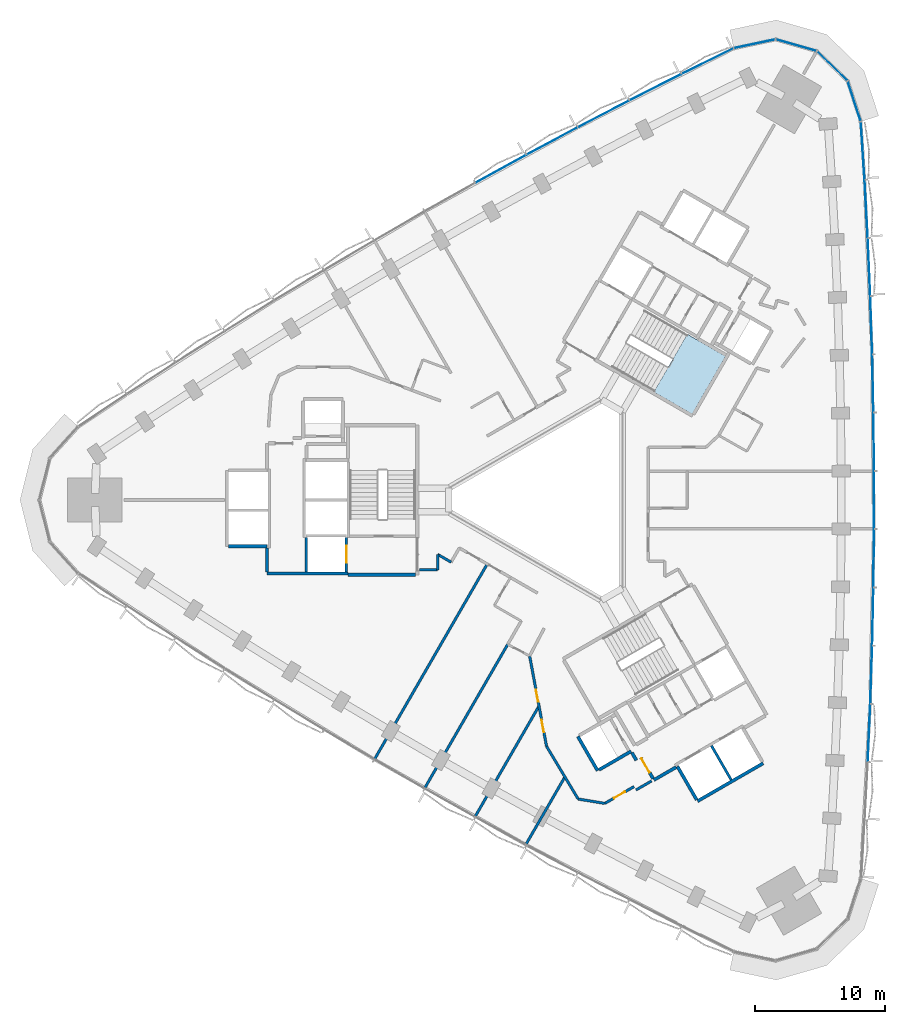
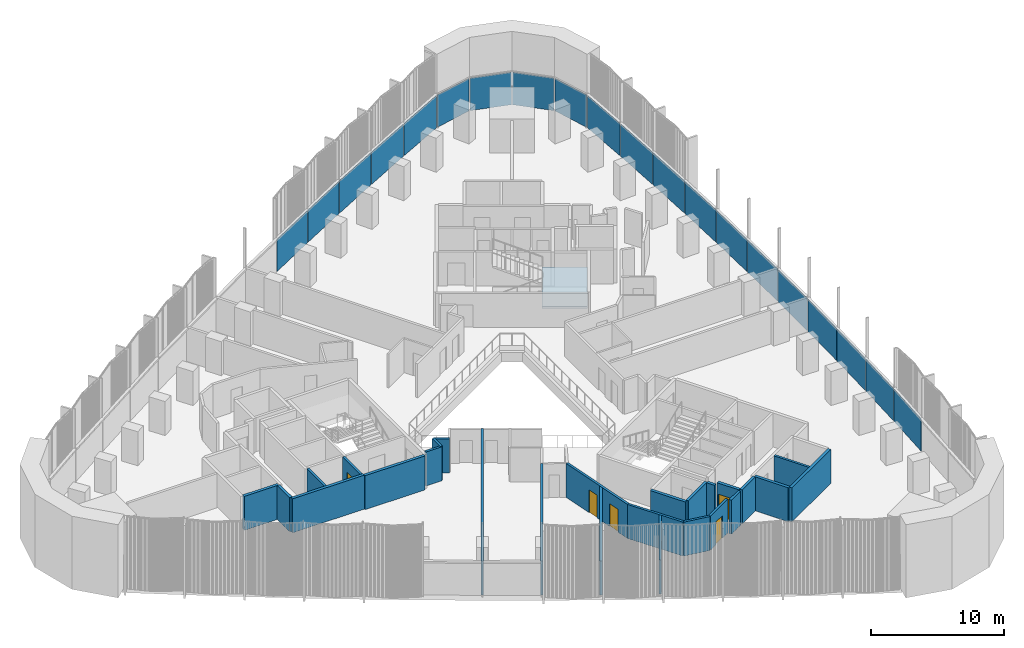
# One storey, part 9 of 16: 26 walls, 20 plates, 5 doors, 1 slab, 5 openings, 3 elements without a shape of their own.
"""IFC4 building model written with IfcOpenShell, lengths in metres."""

from ifc_helpers import new_model, si_unit, direction, frame, frame_2d, origin, origin_2d, place, context, subcontext, project, spatial, polyline, rectangle, outline, extrude, material, layer, layer_set, type_object, element, fill, aggregate, save


model = new_model("IFC4")

# Units and contexts
model_context = context("Model", 3, precision=1e-05, world=origin(), true_north=direction((0.0, 1.0)))
body_context = subcontext(model_context, "Body", "Model", "MODEL_VIEW")
ifc_project = project(units=[si_unit("LENGTHUNIT", "METRE"), si_unit("AREAUNIT", "SQUARE_METRE"), si_unit("VOLUMEUNIT", "CUBIC_METRE"), si_unit("PLANEANGLEUNIT", "RADIAN"), si_unit("MASSUNIT", "GRAM", prefix="KILO")], contexts=[model_context])

# Site, building, storey
site_placement = place(None, origin())
site = spatial("IfcSite", under=ifc_project, at=site_placement, CompositionType="ELEMENT")
building_placement = place(site_placement, origin())
building = spatial("IfcBuilding", under=site, at=building_placement, Name="Tamra Quay Hotel Tower", CompositionType="ELEMENT")
storey_placement = place(building_placement, frame((0.0, 0.0, 45.800048828125)))
storey = spatial("IfcBuildingStorey", under=building, at=storey_placement, Name="L09", CompositionType="ELEMENT", Elevation=45.800048828125)

# Stair, slab
ifc_material_1 = material(Name="Exit stair 2200 24 risers 150.0 going 342")
stair_type = type_object("IfcStairType", Name="Exit stair 2200 24 risers 150.0 going 342", PredefinedType="HALF_TURN_STAIR", material=ifc_material_1)
stair_placement = place(storey_placement, origin())
stair = element("IfcStair", 1, at=stair_placement, inside=storey, type_object=stair_type, Name="L09 Exit stair ST1", PredefinedType="HALF_TURN_STAIR")
ifc_material_2 = material(Name="Concrete M70", Category="concrete")
ifc_layer_1 = layer(ifc_material_2, 0.175048828125)
ifc_layer_set_1 = layer_set([ifc_layer_1], Name="Concrete M70 stair landing 180")
slab_type = type_object("IfcSlabType", Name="Concrete M70 stair landing 180", PredefinedType="LANDING", material=ifc_layer_set_1)
slab_placement = place(storey_placement, frame((0.0, 0.0, 1.625)))
slab = element("IfcSlab", 2, at=slab_placement, type_object=slab_type, Name="ST1 landing 1", PredefinedType="LANDING", context=body_context, shape_type="SweptSolid", body=[
    extrude(outline(polyline([(7.425048828125, 8.336669921875), (10.385009765625, 6.627685546875), (12.964599609375, 11.095458984375), (10.00439453125, 12.804443359375), (7.425048828125, 8.336669921875)])), origin(), (0.0, 0.0, 1.0), 0.175048828125),
])
aggregate(stair, [slab])

# Curtain wall, plates
ifc_material_3 = material(Name="Aluminium 6063 anodised dark grey", Category="aluminium")
curtain_wall_type_1 = type_object("IfcCurtainWallType", Name="CW1 CURTAIN WALL", PredefinedType="NOTDEFINED", material=ifc_material_3)
curtain_wall_1_placement = place(storey_placement, origin())
curtain_wall_1 = element("IfcCurtainWall", 3, at=curtain_wall_1_placement, inside=storey, type_object=curtain_wall_type_1, Name="CW1 east face L09", PredefinedType="NOTDEFINED")
ifc_material_4 = material(Name="Glass clear laminated low-iron", Category="glass")
ifc_layer_2 = layer(ifc_material_4, 0.035888671875)
ifc_layer_set_2 = layer_set([ifc_layer_2], Name="GLASS PANEL CW1 Z1")
plate_type_1 = type_object("IfcPlateType", Name="GLASS PANEL CW1 Z1", PredefinedType="CURTAIN_PANEL", material=ifc_layer_set_2)
plate_1_placement = place(storey_placement, frame((24.04052734375, -17.985107421875, 0.0), z_axis=(0.0, 0.0, 1.0), x_axis=(0.043285462035, 0.999062745165, 0.0)))
plate_1 = element("IfcPlate", 4, at=plate_1_placement, type_object=plate_type_1, Name="CW1 glass L09.E.3", PredefinedType="CURTAIN_PANEL", context=body_context, shape_type="SweptSolid", body=[
    extrude(rectangle(XDim=4.397216796875, YDim=0.035888671875, at=origin_2d()), origin(), (0.0, 0.0, 1.0), 2.985107421875),
])
plate_2_placement = place(storey_placement, frame((24.2109375, -13.490966796875, 0.0), z_axis=(0.0, 0.0, 1.0), x_axis=(0.032474799035, 0.999472554615, 0.0)))
plate_2 = element("IfcPlate", 5, at=plate_2_placement, type_object=plate_type_1, Name="CW1 glass L09.E.4", PredefinedType="CURTAIN_PANEL", context=body_context, shape_type="SweptSolid", body=[
    extrude(rectangle(XDim=4.397216796875, YDim=0.035888671875, at=origin_2d()), origin(), (0.0, 0.0, 1.0), 2.985107421875),
])
plate_3_placement = place(storey_placement, frame((24.332763671875, -8.99462890625, 0.0), z_axis=(0.0, 0.0, 1.0), x_axis=(0.021657440572, 0.999765450127, 0.0)))
plate_3 = element("IfcPlate", 6, at=plate_3_placement, type_object=plate_type_1, Name="CW1 glass L09.E.5", PredefinedType="CURTAIN_PANEL", context=body_context, shape_type="SweptSolid", body=[
    extrude(rectangle(XDim=4.39892578125, YDim=0.035888671875, at=origin_2d()), origin(), (0.0, 0.0, 1.0), 2.985107421875),
])
plate_4_placement = place(storey_placement, frame((24.40576171875, -4.4970703125, 0.0), z_axis=(0.0, 0.0, 1.0), x_axis=(0.010835825783, 0.999941290716, 0.0)))
plate_4 = element("IfcPlate", 7, at=plate_4_placement, type_object=plate_type_1, Name="CW1 glass L09.E.6", PredefinedType="CURTAIN_PANEL", context=body_context, shape_type="SweptSolid", body=[
    extrude(rectangle(XDim=4.397216796875, YDim=0.035888671875, at=origin_2d()), origin(), (0.0, 0.0, 1.0), 2.985107421875),
])
plate_5_placement = place(storey_placement, frame((24.43017578125, 0.0, 0.0), z_axis=(0.0, 0.0, 1.0), x_axis=(0.0, 1.0, 0.0)))
plate_5 = element("IfcPlate", 8, at=plate_5_placement, type_object=plate_type_1, Name="CW1 glass L09.E.7", PredefinedType="CURTAIN_PANEL", context=body_context, shape_type="SweptSolid", body=[
    extrude(rectangle(XDim=4.397216796875, YDim=0.035888671875, at=origin_2d()), origin(), (0.0, 0.0, 1.0), 2.985107421875),
])
plate_6_placement = place(storey_placement, frame((24.40576171875, 4.4970703125, 0.0), z_axis=(0.0, 0.0, 1.0), x_axis=(-0.010835825783, 0.999941290716, 0.0)))
plate_6 = element("IfcPlate", 9, at=plate_6_placement, type_object=plate_type_1, Name="CW1 glass L09.E.8", PredefinedType="CURTAIN_PANEL", context=body_context, shape_type="SweptSolid", body=[
    extrude(rectangle(XDim=4.397216796875, YDim=0.035888671875, at=origin_2d()), origin(), (0.0, 0.0, 1.0), 2.985107421875),
])
plate_7_placement = place(storey_placement, frame((24.332763671875, 8.99462890625, 0.0), z_axis=(0.0, 0.0, 1.0), x_axis=(-0.021657440572, 0.999765450127, 0.0)))
plate_7 = element("IfcPlate", 10, at=plate_7_placement, type_object=plate_type_1, Name="CW1 glass L09.E.9", PredefinedType="CURTAIN_PANEL", context=body_context, shape_type="SweptSolid", body=[
    extrude(rectangle(XDim=4.39892578125, YDim=0.035888671875, at=origin_2d()), origin(), (0.0, 0.0, 1.0), 2.985107421875),
])
plate_8_placement = place(storey_placement, frame((24.2109375, 13.490966796875, 0.0), z_axis=(0.0, 0.0, 1.0), x_axis=(-0.032474799035, 0.999472554615, 0.0)))
plate_8 = element("IfcPlate", 11, at=plate_8_placement, type_object=plate_type_1, Name="CW1 glass L09.E.10", PredefinedType="CURTAIN_PANEL", context=body_context, shape_type="SweptSolid", body=[
    extrude(rectangle(XDim=4.397216796875, YDim=0.035888671875, at=origin_2d()), origin(), (0.0, 0.0, 1.0), 2.985107421875),
])
plate_9_placement = place(storey_placement, frame((24.04052734375, 17.985107421875, 0.0), z_axis=(0.0, 0.0, 1.0), x_axis=(-0.043285462035, 0.999062745165, 0.0)))
plate_9 = element("IfcPlate", 12, at=plate_9_placement, type_object=plate_type_1, Name="CW1 glass L09.E.11", PredefinedType="CURTAIN_PANEL", context=body_context, shape_type="SweptSolid", body=[
    extrude(rectangle(XDim=4.397216796875, YDim=0.035888671875, at=origin_2d()), origin(), (0.0, 0.0, 1.0), 2.985107421875),
])
plate_10_placement = place(storey_placement, frame((23.821533203125, 22.477783203125, 0.0), z_axis=(0.0, 0.0, 1.0), x_axis=(-0.054062119595, 0.998537574268, 0.0)))
plate_10 = element("IfcPlate", 13, at=plate_10_placement, type_object=plate_type_1, Name="CW1 glass L09.E.12", PredefinedType="CURTAIN_PANEL", context=body_context, shape_type="SweptSolid", body=[
    extrude(rectangle(XDim=4.39892578125, YDim=0.035888671875, at=origin_2d()), origin(), (0.0, 0.0, 1.0), 2.985107421875),
])
plate_11_placement = place(storey_placement, frame((23.55419921875, 26.96728515625, 0.0), z_axis=(0.0, 0.0, 1.0), x_axis=(-0.064813097616, 0.997897420769, 0.0)))
plate_11 = element("IfcPlate", 14, at=plate_11_placement, type_object=plate_type_1, Name="CW1 glass L09.E.13", PredefinedType="CURTAIN_PANEL", context=body_context, shape_type="SweptSolid", body=[
    extrude(rectangle(XDim=4.396484375, YDim=0.035888671875, at=origin_2d()), origin(), (0.0, 0.0, 1.0), 2.985107421875),
])
plate_12_placement = place(storey_placement, frame((22.8974609375, 30.783447265625, 0.0), z_axis=(0.0, 0.0, 1.0), x_axis=(-0.309040551826, 0.951048861693, 0.0)))
plate_12 = element("IfcPlate", 15, at=plate_12_placement, type_object=plate_type_1, Name="CW1 glass L09.E.14", PredefinedType="CURTAIN_PANEL", context=body_context, shape_type="SweptSolid", body=[
    extrude(rectangle(XDim=3.207275390625, YDim=0.035888671875, at=origin_2d()), origin(), (0.0, 0.0, 1.0), 2.985107421875),
])
plate_13_placement = place(storey_placement, frame((21.197021484375, 33.5048828125, 0.0), z_axis=(0.0, 0.0, 1.0), x_axis=(-0.719345535851, 0.694652431113, 0.0)))
plate_13 = element("IfcPlate", 16, at=plate_13_placement, type_object=plate_type_1, Name="CW1 glass L09.E.15", PredefinedType="CURTAIN_PANEL", context=body_context, shape_type="SweptSolid", body=[
    extrude(rectangle(XDim=3.207275390625, YDim=0.035888671875, at=origin_2d()), origin(), (0.0, 0.0, 1.0), 2.985107421875),
])
plate_14_placement = place(storey_placement, frame((18.417724609375, 35.109619140625, 0.0), z_axis=(0.0, 0.0, 1.0), x_axis=(-0.96125942007, 0.275645292589, 0.0)))
plate_14 = element("IfcPlate", 17, at=plate_14_placement, type_object=plate_type_1, Name="CW1 glass L09.E.16", PredefinedType="CURTAIN_PANEL", context=body_context, shape_type="SweptSolid", body=[
    extrude(rectangle(XDim=3.207275390625, YDim=0.035888671875, at=origin_2d()), origin(), (0.0, 0.0, 1.0), 2.985107421875),
])
plate_15_placement = place(storey_placement, frame((15.210693359375, 35.2216796875, 0.0), z_axis=(0.0, 0.0, 1.0), x_axis=(-0.978152750379, -0.207887462165, 0.0)))
plate_15 = element("IfcPlate", 18, at=plate_15_placement, type_object=plate_type_1, Name="CW1 glass L09.E.17", PredefinedType="CURTAIN_PANEL", context=body_context, shape_type="SweptSolid", body=[
    extrude(rectangle(XDim=3.207275390625, YDim=0.035888671875, at=origin_2d()), origin(), (0.0, 0.0, 1.0), 2.985107421875),
])
aggregate(curtain_wall_1, [plate_1, plate_2, plate_3, plate_4, plate_5, plate_6, plate_7, plate_8, plate_9, plate_10, plate_11, plate_12, plate_13, plate_14, plate_15])

curtain_wall_type_2 = type_object("IfcCurtainWallType", Name="CW2 CURTAIN WALL", PredefinedType="NOTDEFINED", material=ifc_material_3)
curtain_wall_2_placement = place(storey_placement, origin())
curtain_wall_2 = element("IfcCurtainWall", 19, at=curtain_wall_2_placement, inside=storey, type_object=curtain_wall_type_2, Name="CW2 north-west face L09", PredefinedType="NOTDEFINED")
ifc_layer_3 = layer(ifc_material_4, 0.035888671875)
ifc_layer_set_3 = layer_set([ifc_layer_3], Name="GLASS PANEL CW2 Z1")
plate_type_2 = type_object("IfcPlateType", Name="GLASS PANEL CW2 Z1", PredefinedType="CURTAIN_PANEL", material=ifc_layer_set_3)
plate_16_placement = place(storey_placement, frame((11.5771484375, 33.88232421875, 0.0), z_axis=(0.0, 0.0, 1.0), x_axis=(-0.896611065565, -0.442818921351, 0.0)))
plate_16 = element("IfcPlate", 20, at=plate_16_placement, type_object=plate_type_2, Name="CW2 glass L09.NW.1", PredefinedType="CURTAIN_PANEL", context=body_context, shape_type="SweptSolid", body=[
    extrude(rectangle(XDim=4.396484375, YDim=0.035888671875, at=origin_2d()), origin(), (0.0, 0.0, 1.0), 2.985107421875),
])
plate_17_placement = place(storey_placement, frame((7.555419921875, 31.868896484375, 0.0), z_axis=(0.0, 0.0, 1.0), x_axis=(-0.891789965747, -0.452449618182, 0.0)))
plate_17 = element("IfcPlate", 21, at=plate_17_placement, type_object=plate_type_2, Name="CW2 glass L09.NW.2", PredefinedType="CURTAIN_PANEL", context=body_context, shape_type="SweptSolid", body=[
    extrude(rectangle(XDim=4.39892578125, YDim=0.035888671875, at=origin_2d()), origin(), (0.0, 0.0, 1.0), 2.985107421875),
])
plate_18_placement = place(storey_placement, frame((3.55517578125, 29.812255859375, 0.0), z_axis=(0.0, 0.0, 1.0), x_axis=(-0.886856448305, -0.462045062846, 0.0)))
plate_18 = element("IfcPlate", 22, at=plate_18_placement, type_object=plate_type_2, Name="CW2 glass L09.NW.3", PredefinedType="CURTAIN_PANEL", context=body_context, shape_type="SweptSolid", body=[
    extrude(rectangle(XDim=4.397216796875, YDim=0.035888671875, at=origin_2d()), origin(), (0.0, 0.0, 1.0), 2.985107421875),
])
plate_19_placement = place(storey_placement, frame((-0.421875, 27.712890625, 0.0), z_axis=(0.0, 0.0, 1.0), x_axis=(-0.881806022199, -0.47161227636, 0.0)))
plate_19 = element("IfcPlate", 23, at=plate_19_placement, type_object=plate_type_2, Name="CW2 glass L09.NW.4", PredefinedType="CURTAIN_PANEL", context=body_context, shape_type="SweptSolid", body=[
    extrude(rectangle(XDim=4.397216796875, YDim=0.035888671875, at=origin_2d()), origin(), (0.0, 0.0, 1.0), 2.985107421875),
])
plate_20_placement = place(storey_placement, frame((-4.376708984375, 25.570068359375, 0.0), z_axis=(0.0, 0.0, 1.0), x_axis=(-0.876650997922, -0.481126831347, 0.0)))
plate_20 = element("IfcPlate", 24, at=plate_20_placement, type_object=plate_type_2, Name="CW2 glass L09.NW.5", PredefinedType="CURTAIN_PANEL", context=body_context, shape_type="SweptSolid", body=[
    extrude(rectangle(XDim=4.39892578125, YDim=0.035888671875, at=origin_2d()), origin(), (0.0, 0.0, 1.0), 2.985107421875),
])
aggregate(curtain_wall_2, [plate_16, plate_17, plate_18, plate_19, plate_20])

# Wall, opening, door
ifc_layer_4 = layer(ifc_material_2, 0.199951171875)
ifc_layer_set_4 = layer_set([ifc_layer_4], Name="Concrete M70 core wall 200")
wall_type_1 = type_object("IfcWallType", Name="Concrete M70 core wall 200", PredefinedType="SHEAR", material=ifc_layer_set_4)
wall_1_placement = place(storey_placement, frame((-16.312255859375, -2.898193359375, 0.0), z_axis=(0.0, 0.0, 1.0), x_axis=(0.0, -1.0, 0.0)))
wall_1 = element("IfcWall", 25, at=wall_1_placement, inside=storey, type_object=wall_type_1, Name="CW2", PredefinedType="SHEAR", context=body_context, shape_type="SweptSolid", body=[
    extrude(rectangle(XDim=2.65087890625, YDim=0.199951171875, at=frame_2d((1.325439453125, 0.0))), origin(), (0.0, 0.0, 1.0), 3.125),
])
opening_1_placement = place(wall_1_placement, frame((0.65185546875, 0.0, 0.0)))
opening_1 = element("IfcOpeningElement", 26, at=opening_1_placement, cuts=wall_1, Name="Opening LD", PredefinedType="OPENING", context=body_context, shape_type="SweptSolid", body=[
    extrude(rectangle(XDim=1.300048828125, YDim=2.10009765625, at=frame_2d((0.64990234375, 1.050048828125))), frame((0.0, 0.10986328125, 0.0), z_axis=(0.0, -1.0, 0.0), x_axis=(1.0, 0.0, 0.0)), (0.0, 0.0, 1.0), 0.219970703125),
])
ifc_material_5 = material(Name="Landing door LD 1300 sliding to right")
door_type_1 = type_object("IfcDoorType", Name="Landing door LD 1300 sliding to right", OperationType="NOTDEFINED", PredefinedType="DOOR", material=ifc_material_5)
door_1_placement = place(opening_1_placement, origin())
door_1 = element("IfcDoor", 27, at=door_1_placement, inside=storey, type_object=door_type_1, Name="LD", OperationType="SLIDING_TO_RIGHT", OverallHeight=2.10009765625, OverallWidth=1.300048828125, PredefinedType="DOOR", context=body_context, shape_type="SweptSolid", body=[
    extrude(rectangle(XDim=1.300048828125, YDim=2.10009765625, at=frame_2d((0.64990234375, 1.050048828125))), frame((0.0, 0.02490234375, 0.0), z_axis=(0.0, -1.0, 0.0), x_axis=(1.0, 0.0, 0.0)), (0.0, 0.0, 1.0), 0.050048828125),
])
fill(opening_1, door_1)

# Walls
wall_2_placement = place(storey_placement, frame((-19.412353515625, -5.549072265625, 0.0), z_axis=(0.0, 0.0, 1.0), x_axis=(0.0, 1.0, 0.0)))
element("IfcWall", 28, at=wall_2_placement, inside=storey, type_object=wall_type_1, Name="CW2", PredefinedType="SHEAR", context=body_context, shape_type="SweptSolid", body=[
    extrude(rectangle(XDim=2.65087890625, YDim=0.199951171875, at=frame_2d((1.325439453125, 0.0))), origin(), (0.0, 0.0, 1.0), 3.125),
])
wall_3_placement = place(storey_placement, frame((11.87451171875, -18.967041015625, 0.0), z_axis=(0.0, 0.0, 1.0), x_axis=(0.49998131003, -0.866036194175, 0.0)))
element("IfcWall", 29, at=wall_3_placement, inside=storey, type_object=wall_type_1, Name="CW2", PredefinedType="SHEAR", context=body_context, shape_type="SweptSolid", body=[
    extrude(rectangle(XDim=3.0478515625, YDim=0.199951171875, at=frame_2d((1.52392578125, 0.0))), origin(), (0.0, 0.0, 1.0), 3.125),
])
ifc_layer_5 = layer(ifc_material_2, 0.25)
ifc_layer_set_5 = layer_set([ifc_layer_5], Name="Concrete M70 core wall 250")
wall_type_2 = type_object("IfcWallType", Name="Concrete M70 core wall 250", PredefinedType="SHEAR", material=ifc_layer_set_5)
wall_4_placement = place(storey_placement, frame((-16.187255859375, -5.675048828125, 0.0), z_axis=(0.0, 0.0, 1.0), x_axis=(-1.0, 0.0, 0.0)))
element("IfcWall", 30, at=wall_4_placement, inside=storey, type_object=wall_type_2, Name="CW1", PredefinedType="SHEAR", context=body_context, shape_type="SweptSolid", body=[
    extrude(rectangle(XDim=6.25, YDim=0.25, at=frame_2d((3.125, 0.0))), origin(), (0.0, 0.0, 1.0), 3.125),
])
wall_5_placement = place(storey_placement, frame((-10.962646484375, -5.77490234375, 0.0), z_axis=(0.0, 0.0, 1.0), x_axis=(-1.0, 0.0, 0.0)))
element("IfcWall", 31, at=wall_5_placement, inside=storey, type_object=wall_type_2, Name="CW1", PredefinedType="SHEAR", context=body_context, shape_type="SweptSolid", body=[
    extrude(rectangle(XDim=5.224609375, YDim=0.25, at=frame_2d((2.6123046875, 0.0))), origin(), (0.0, 0.0, 1.0), 3.125),
])
wall_6_placement = place(storey_placement, frame((-22.437255859375, -3.574951171875, 0.0), z_axis=(0.0, 0.0, 1.0), x_axis=(-1.0, 0.0, 0.0)))
element("IfcWall", 32, at=wall_6_placement, inside=storey, type_object=wall_type_2, Name="CW1", PredefinedType="SHEAR", context=body_context, shape_type="SweptSolid", body=[
    extrude(rectangle(XDim=2.974609375, YDim=0.25, at=frame_2d((1.4873046875, 0.0))), origin(), (0.0, 0.0, 1.0), 3.125),
])
wall_7_placement = place(storey_placement, frame((-22.437255859375, -5.549560546875, 0.0), z_axis=(0.0, 0.0, 1.0), x_axis=(0.0, 1.0, 0.0)))
element("IfcWall", 33, at=wall_7_placement, inside=storey, type_object=wall_type_2, Name="CW1", PredefinedType="SHEAR", context=body_context, shape_type="SweptSolid", body=[
    extrude(rectangle(XDim=1.84912109375, YDim=0.25, at=frame_2d((0.924560546875, 0.0))), origin(), (0.0, 0.0, 1.0), 3.125),
])
wall_8_placement = place(storey_placement, frame((15.86474609375, -20.328369140625, 0.0), z_axis=(0.0, 0.0, 1.0), x_axis=(-0.86602852612, -0.499994591916, 0.0)))
element("IfcWall", 34, at=wall_8_placement, inside=storey, type_object=wall_type_2, Name="CW1", PredefinedType="SHEAR", context=body_context, shape_type="SweptSolid", body=[
    extrude(rectangle(XDim=5.85009765625, YDim=0.25, at=frame_2d((2.925048828125, 0.0))), origin(), (0.0, 0.0, 1.0), 3.125),
])
wall_9_placement = place(storey_placement, frame((10.73583984375, -23.144775390625, 0.0), z_axis=(0.0, 0.0, 1.0), x_axis=(-0.500023226632, 0.866011993467, 0.0)))
element("IfcWall", 35, at=wall_9_placement, inside=storey, type_object=wall_type_2, Name="CW1", PredefinedType="SHEAR", context=body_context, shape_type="SweptSolid", body=[
    extrude(rectangle(XDim=2.974365234375, YDim=0.25, at=frame_2d((1.4873046875, 0.0))), origin(), (0.0, 0.0, 1.0), 3.125),
])
wall_10_placement = place(storey_placement, frame((3.085205078125, -20.893798828125, 0.0), z_axis=(0.0, 0.0, 1.0), x_axis=(-0.499978833458, 0.866037623948, 0.0)))
element("IfcWall", 36, at=wall_10_placement, inside=storey, type_object=wall_type_2, Name="CW1", PredefinedType="SHEAR", context=body_context, shape_type="SweptSolid", body=[
    extrude(rectangle(XDim=3.050048828125, YDim=0.25, at=frame_2d((1.52490234375, 0.0))), origin(), (0.0, 0.0, 1.0), 3.125),
])
wall_11_placement = place(storey_placement, frame((5.6748046875, -19.39892578125, 0.0), z_axis=(0.0, 0.0, 1.0), x_axis=(-0.866026637627, -0.499997862916, 0.0)))
element("IfcWall", 37, at=wall_11_placement, inside=storey, type_object=wall_type_2, Name="CW1", PredefinedType="SHEAR", context=body_context, shape_type="SweptSolid", body=[
    extrude(rectangle(XDim=2.86474609375, YDim=0.25, at=frame_2d((1.432373046875, 0.0))), origin(), (0.0, 0.0, 1.0), 3.125),
])
wall_12_placement = place(storey_placement, frame((9.139892578125, -20.63134765625, 0.0), z_axis=(0.0, 0.0, 1.0), x_axis=(-0.866043531843, -0.499968599967, 0.0)))
element("IfcWall", 38, at=wall_12_placement, inside=storey, type_object=wall_type_2, Name="CW1", PredefinedType="SHEAR", context=body_context, shape_type="SweptSolid", body=[
    extrude(rectangle(XDim=1.974853515625, YDim=0.25, at=frame_2d((0.9873046875, 0.0))), origin(), (0.0, 0.0, 1.0), 3.125),
])

# Wall, opening, door
wall_13_placement = place(storey_placement, frame((7.3671875, -21.51025390625, 0.0), z_axis=(0.0, 0.0, 1.0), x_axis=(-0.499983108224, 0.866035156036, 0.0)))
wall_13 = element("IfcWall", 39, at=wall_13_placement, inside=storey, type_object=wall_type_2, Name="CW1", PredefinedType="SHEAR", context=body_context, shape_type="SweptSolid", body=[
    extrude(rectangle(XDim=1.86474609375, YDim=0.25, at=frame_2d((0.932373046875, 0.0))), origin(), (0.0, 0.0, 1.0), 3.125),
])
opening_2_placement = place(wall_13_placement, frame((0.53466796875, 0.0, 0.0)))
opening_2 = element("IfcOpeningElement", 40, at=opening_2_placement, cuts=wall_13, Name="Opening FD3", PredefinedType="OPENING", context=body_context, shape_type="SweptSolid", body=[
    extrude(rectangle(XDim=1.25, YDim=2.10009765625, at=frame_2d((0.625, 1.050048828125))), frame((0.0, 0.135009765625, 0.0), z_axis=(0.0, -1.0, 0.0), x_axis=(1.0, 0.0, 0.0)), (0.0, 0.0, 1.0), 0.27001953125),
])
ifc_material_6 = material(Name="Core door FD3 1250x2100 LH")
door_type_2 = type_object("IfcDoorType", Name="Core door FD3 1250x2100 LH", OperationType="NOTDEFINED", PredefinedType="DOOR", material=ifc_material_6)
door_2_placement = place(opening_2_placement, origin())
door_2 = element("IfcDoor", 41, at=door_2_placement, inside=storey, type_object=door_type_2, Name="FD3", OperationType="SINGLE_SWING_LEFT", OverallHeight=2.10009765625, OverallWidth=1.25, PredefinedType="DOOR", context=body_context, shape_type="SweptSolid", body=[
    extrude(rectangle(XDim=1.25, YDim=2.10009765625, at=frame_2d((0.625, 1.050048828125))), frame((0.0, 0.02490234375, 0.0), z_axis=(0.0, -1.0, 0.0), x_axis=(1.0, 0.0, 0.0)), (0.0, 0.0, 1.0), 0.050048828125),
])
fill(opening_2, door_2)

# Walls
wall_14_placement = place(storey_placement, frame((6.07958984375, -20.100341796875, 0.0), z_axis=(0.0, 0.0, 1.0), x_axis=(-0.500051773299, 0.865995510393, 0.0)))
element("IfcWall", 42, at=wall_14_placement, inside=storey, type_object=wall_type_2, Name="CW1", PredefinedType="SHEAR", context=body_context, shape_type="SweptSolid", body=[
    extrude(rectangle(XDim=0.6845703125, YDim=0.25, at=frame_2d((0.34228515625, 0.0))), origin(), (0.0, 0.0, 1.0), 3.125),
])
ifc_material_7 = material(Name="Partition corridor wall")
ifc_layer_6 = layer(ifc_material_7, 0.199951171875)
ifc_layer_set_6 = layer_set([ifc_layer_6], Name="Partition corridor wall")
wall_type_3 = type_object("IfcWallType", Name="Partition corridor wall", PredefinedType="PARTITIONING", material=ifc_layer_set_6)
wall_15_placement = place(storey_placement, frame((-10.65234375, -5.39990234375, 0.0), z_axis=(0.0, 0.0, 1.0), x_axis=(1.0, 0.0, 0.0)))
element("IfcWall", 43, at=wall_15_placement, inside=storey, type_object=wall_type_3, Name="W-C", PredefinedType="PARTITIONING", context=body_context, shape_type="SweptSolid", body=[
    extrude(rectangle(XDim=1.390380859375, YDim=0.199951171875, at=frame_2d((0.6953125, 0.0))), origin(), (0.0, 0.0, 1.0), 3.125),
])
for number, where, z_axis, x_axis, name in (
    (44, (-9.261962890625, -5.39990234375, 0.0), (0.0, 0.0, 1.0), (0.0, 1.0, 0.0), "W-C"),
    (45, (-9.261962890625, -4.199951171875, 0.0), (0.0, 0.0, 1.0), (0.865955154139, -0.50012165622, 0.0), "W-C"),
):
    element("IfcWall", number, at=place(storey_placement, frame(where, z_axis=z_axis, x_axis=x_axis)), inside=storey, type_object=wall_type_3, Name=name, PredefinedType="PARTITIONING", context=body_context, shape_type="SweptSolid", body=[
        extrude(rectangle(XDim=1.199951171875, YDim=0.199951171875, at=frame_2d((0.60009765625, 0.0))), origin(), (0.0, 0.0, 1.0), 3.125),
    ])

# Wall, openings, doors
wall_16_placement = place(storey_placement, frame((-2.162109375, -12.0419921875, 0.0), z_axis=(0.0, 0.0, 1.0), x_axis=(0.183949825522, -0.982935634561, 0.0)))
wall_16 = element("IfcWall", 46, at=wall_16_placement, inside=storey, type_object=wall_type_3, Name="W-C", PredefinedType="PARTITIONING", context=body_context, shape_type="SweptSolid", body=[
    extrude(rectangle(XDim=7.093994140625, YDim=0.199951171875, at=frame_2d((3.546875, 0.0))), origin(), (0.0, 0.0, 1.0), 3.125),
])
opening_3_placement = place(wall_16_placement, frame((2.64990234375, 0.0, 0.0)))
opening_3 = element("IfcOpeningElement", 47, at=opening_3_placement, cuts=wall_16, Name="Opening L09-D015", PredefinedType="OPENING", context=body_context, shape_type="SweptSolid", body=[
    extrude(rectangle(XDim=0.949951171875, YDim=2.10009765625, at=frame_2d((0.47509765625, 1.050048828125))), frame((0.0, 0.10986328125, 0.0), z_axis=(0.0, -1.0, 0.0), x_axis=(1.0, 0.0, 0.0)), (0.0, 0.0, 1.0), 0.219970703125),
])
opening_4_placement = place(wall_16_placement, frame((5.005859375, 0.0, 0.0)))
opening_4 = element("IfcOpeningElement", 48, at=opening_4_placement, cuts=wall_16, Name="Opening L09-D017", PredefinedType="OPENING", context=body_context, shape_type="SweptSolid", body=[
    extrude(rectangle(XDim=1.0, YDim=2.10009765625, at=frame_2d((0.5, 1.050048828125))), frame((0.0, 0.10986328125, 0.0), z_axis=(0.0, -1.0, 0.0), x_axis=(1.0, 0.0, 0.0)), (0.0, 0.0, 1.0), 0.219970703125),
])
ifc_material_8 = material(Name="Door guest room 1000x2100")
door_type_3 = type_object("IfcDoorType", Name="Door guest room 1000x2100", OperationType="NOTDEFINED", PredefinedType="DOOR", material=ifc_material_8)
door_3_placement = place(opening_4_placement, frame((1.0, 0.0, 0.0), z_axis=(0.0, 0.0, 1.0), x_axis=(-1.0, 0.0, 0.0)))
door_3 = element("IfcDoor", 49, at=door_3_placement, inside=storey, type_object=door_type_3, Name="L09-D017", OperationType="SINGLE_SWING_LEFT", OverallHeight=2.10009765625, OverallWidth=1.0, PredefinedType="DOOR", context=body_context, shape_type="SweptSolid", body=[
    extrude(rectangle(XDim=1.0, YDim=2.10009765625, at=frame_2d((0.5, 1.050048828125))), frame((0.0, 0.02490234375, 0.0), z_axis=(0.0, -1.0, 0.0), x_axis=(1.0, 0.0, 0.0)), (0.0, 0.0, 1.0), 0.050048828125),
])
fill(opening_4, door_3)
ifc_material_9 = material(Name="Door guest room 950x2100")
door_type_4 = type_object("IfcDoorType", Name="Door guest room 950x2100", OperationType="NOTDEFINED", PredefinedType="DOOR", material=ifc_material_9)
door_4_placement = place(opening_3_placement, frame((0.949951171875, 0.0, 0.0), z_axis=(0.0, 0.0, 1.0), x_axis=(-1.0, 0.0, 0.0)))
door_4 = element("IfcDoor", 50, at=door_4_placement, inside=storey, type_object=door_type_4, Name="L09-D015", OperationType="SINGLE_SWING_LEFT", OverallHeight=2.10009765625, OverallWidth=0.949951171875, PredefinedType="DOOR", context=body_context, shape_type="SweptSolid", body=[
    extrude(rectangle(XDim=0.949951171875, YDim=2.10009765625, at=frame_2d((0.47509765625, 1.050048828125))), frame((0.0, 0.02490234375, 0.0), z_axis=(0.0, -1.0, 0.0), x_axis=(1.0, 0.0, 0.0)), (0.0, 0.0, 1.0), 0.050048828125),
])
fill(opening_3, door_4)

# Walls
wall_17_placement = place(storey_placement, frame((-0.85791015625, -19.01708984375, 0.0), z_axis=(0.0, 0.0, 1.0), x_axis=(0.514647068805, -0.857402119528, 0.0)))
element("IfcWall", 51, at=wall_17_placement, inside=storey, type_object=wall_type_3, Name="W-C", PredefinedType="PARTITIONING", context=body_context, shape_type="SweptSolid", body=[
    extrude(rectangle(XDim=4.745361328125, YDim=0.199951171875, at=frame_2d((2.37255859375, 0.0))), origin(), (0.0, 0.0, 1.0), 3.125),
])
wall_18_placement = place(storey_placement, frame((1.583984375, -23.0859375, 0.0), z_axis=(0.0, 0.0, 1.0), x_axis=(0.986633159246, -0.162957077405, 0.0)))
element("IfcWall", 52, at=wall_18_placement, inside=storey, type_object=wall_type_3, Name="W-C", PredefinedType="PARTITIONING", context=body_context, shape_type="SweptSolid", body=[
    extrude(rectangle(XDim=2.0869140625, YDim=0.199951171875, at=frame_2d((1.04345703125, 0.0))), origin(), (0.0, 0.0, 1.0), 3.125),
])

# Wall, opening, door
wall_19_placement = place(storey_placement, frame((3.64306640625, -23.426025390625, 0.0), z_axis=(0.0, 0.0, 1.0), x_axis=(0.866654350985, 0.498909045738, 0.0)))
wall_19 = element("IfcWall", 53, at=wall_19_placement, inside=storey, type_object=wall_type_3, Name="W-C", PredefinedType="PARTITIONING", context=body_context, shape_type="SweptSolid", body=[
    extrude(rectangle(XDim=2.607666015625, YDim=0.199951171875, at=frame_2d((1.3037109375, 0.0))), origin(), (0.0, 0.0, 1.0), 3.125),
])
opening_5_placement = place(wall_19_placement, frame((0.803955078125, 0.0, 0.0)))
opening_5 = element("IfcOpeningElement", 54, at=opening_5_placement, cuts=wall_19, Name="Opening L09-D018", PredefinedType="OPENING", context=body_context, shape_type="SweptSolid", body=[
    extrude(rectangle(XDim=1.0, YDim=2.10009765625, at=frame_2d((0.5, 1.050048828125))), frame((0.0, 0.10986328125, 0.0), z_axis=(0.0, -1.0, 0.0), x_axis=(1.0, 0.0, 0.0)), (0.0, 0.0, 1.0), 0.219970703125),
])
door_5_placement = place(opening_5_placement, frame((1.0, 0.0, 0.0), z_axis=(0.0, 0.0, 1.0), x_axis=(-1.0, 0.0, 0.0)))
door_5 = element("IfcDoor", 55, at=door_5_placement, inside=storey, type_object=door_type_3, Name="L09-D018", OperationType="SINGLE_SWING_LEFT", OverallHeight=2.10009765625, OverallWidth=1.0, PredefinedType="DOOR", context=body_context, shape_type="SweptSolid", body=[
    extrude(rectangle(XDim=1.0, YDim=2.10009765625, at=frame_2d((0.5, 1.050048828125))), frame((0.0, 0.02490234375, 0.0), z_axis=(0.0, -1.0, 0.0), x_axis=(1.0, 0.0, 0.0)), (0.0, 0.0, 1.0), 0.050048828125),
])
fill(opening_5, door_5)

# Walls
wall_20_placement = place(storey_placement, frame((6.053955078125, -22.385009765625, 0.0), z_axis=(0.0, 0.0, 1.0), x_axis=(0.86593101922, 0.500163443238, 0.0)))
element("IfcWall", 56, at=wall_20_placement, inside=storey, type_object=wall_type_3, Name="W-C", PredefinedType="PARTITIONING", context=body_context, shape_type="SweptSolid", body=[
    extrude(rectangle(XDim=1.3896484375, YDim=0.199951171875, at=frame_2d((0.69482421875, 0.0))), origin(), (0.0, 0.0, 1.0), 3.125),
])
ifc_material_10 = material(Name="Partition party wall")
ifc_layer_7 = layer(ifc_material_10, 0.199951171875)
ifc_layer_set_7 = layer_set([ifc_layer_7], Name="Partition party wall")
wall_type_4 = type_object("IfcWallType", Name="Partition party wall", PredefinedType="PARTITIONING", material=ifc_layer_set_7)
wall_21_placement = place(storey_placement, frame((-14.14794921875, -20.035400390625, 0.0), z_axis=(0.0, 0.0, 1.0), x_axis=(0.499978771293, 0.866037659837, 0.0)))
element("IfcWall", 57, at=wall_21_placement, inside=storey, type_object=wall_type_4, Name="W-P", PredefinedType="PARTITIONING", context=body_context, shape_type="SweptSolid", body=[
    extrude(rectangle(XDim=17.424560546875, YDim=0.199951171875, at=frame_2d((8.71240234375, 0.0))), origin(), (0.0, 0.0, 1.0), 3.125),
])
wall_22_placement = place(storey_placement, frame((-10.2763671875, -22.2705078125, 0.0), z_axis=(0.0, 0.0, 1.0), x_axis=(0.499984478165, 0.866034365135, 0.0)))
element("IfcWall", 58, at=wall_22_placement, inside=storey, type_object=wall_type_4, Name="W-P", PredefinedType="PARTITIONING", context=body_context, shape_type="SweptSolid", body=[
    extrude(rectangle(XDim=12.85107421875, YDim=0.199951171875, at=frame_2d((6.425537109375, 0.0))), origin(), (0.0, 0.0, 1.0), 3.125),
])
wall_23_placement = place(storey_placement, frame((-6.38134765625, -24.463623046875, 0.0), z_axis=(0.0, 0.0, 1.0), x_axis=(0.500007577232, 0.866021029023, 0.0)))
element("IfcWall", 59, at=wall_23_placement, inside=storey, type_object=wall_type_4, Name="W-P", PredefinedType="PARTITIONING", context=body_context, shape_type="SweptSolid", body=[
    extrude(rectangle(XDim=9.882568359375, YDim=0.199951171875, at=frame_2d((4.94140625, 0.0))), origin(), (0.0, 0.0, 1.0), 3.125),
])
wall_24_placement = place(storey_placement, frame((-2.46240234375, -26.614990234375, 0.0), z_axis=(0.0, 0.0, 1.0), x_axis=(0.49992636536, 0.86606791259, 0.0)))
element("IfcWall", 60, at=wall_24_placement, inside=storey, type_object=wall_type_4, Name="W-P", PredefinedType="PARTITIONING", context=body_context, shape_type="SweptSolid", body=[
    extrude(rectangle(XDim=6.0458984375, YDim=0.199951171875, at=frame_2d((3.02294921875, 0.0))), origin(), (0.0, 0.0, 1.0), 3.125),
])

save(model, "model.ifc")
